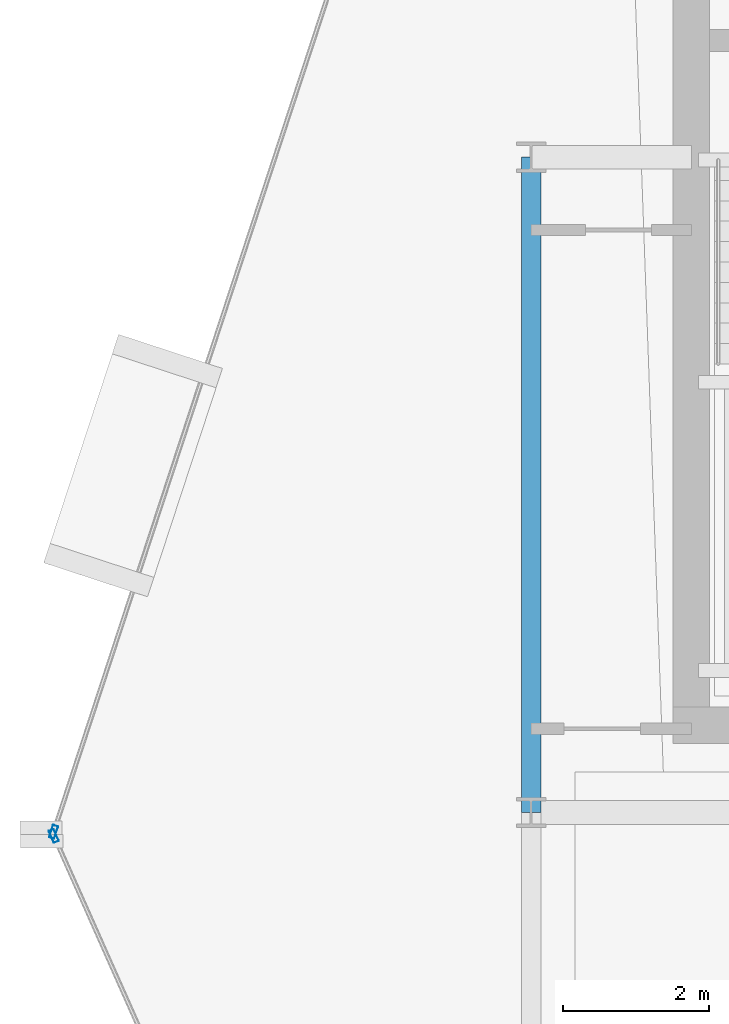
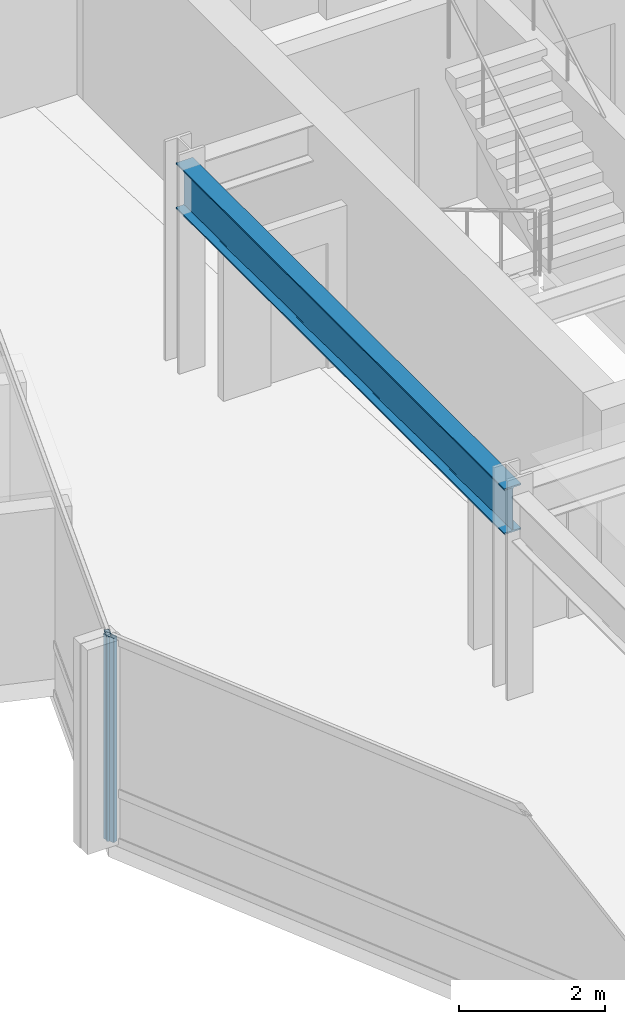
# One storey, part 6 of 27: 2 members, 1 beam, 2 elements without a shape of their own.
"""IFC4 building model written with IfcOpenShell, lengths in metres."""

import ifcopenshell
import ifcopenshell.guid

model = None  # the IFC model being written
_history = None  # IfcOwnerHistory: only IFC2X3 demands one
_inside = {}  # id of a spatial element -> (the spatial element, [elements in it])
_under = {}  # id of a project, library or spatial element -> (it, [spatial elements below it])
_declared = {}  # id of a project -> (the project, [libraries it declares])
_typed = {}  # id of a type object -> (the type object, [elements of that type])
_made_of = {}  # id of a material, layer set ... -> (it, [elements and type objects made of it])


def new_model(schema):
    """Start an empty IFC model of exactly this schema.

    Asked for "IFC4X3", IfcOpenShell would pick the latest addendum, in which some entities
    have other attributes; the version numbers below select the first issue.
    IFC2X3 requires an IfcOwnerHistory on every rooted entity: one is made here for all.
    """
    global model, _history
    if schema == "IFC4X3":
        model = ifcopenshell.file(schema_version=(4, 3, 0, 0))
    else:
        model = ifcopenshell.file(schema=schema)
    _inside.clear()
    _under.clear()
    _declared.clear()
    _typed.clear()
    _made_of.clear()
    _history = None
    if model.schema == "IFC2X3":
        org = make("IfcOrganization", Name="unknown")
        user = make(
            "IfcPersonAndOrganization",
            ThePerson=make("IfcPerson", FamilyName="unknown"),
            TheOrganization=org,
        )
        app = make(
            "IfcApplication",
            ApplicationDeveloper=org,
            Version="unknown",
            ApplicationFullName="unknown",
            ApplicationIdentifier="unknown",
        )
        _history = make(
            "IfcOwnerHistory",
            OwningUser=user,
            OwningApplication=app,
            ChangeAction="ADDED",
            CreationDate=0,
        )
    return model


def make(cls, **values):
    """One entity of the class cls with the attributes given. An attribute that is None is left unset."""
    return model.create_entity(
        cls, **{name: value for name, value in values.items() if value is not None}
    )


def rooted(cls, **values):
    """An entity with a GlobalId (a new one), such as an element, a storey or a relation."""
    return make(cls, GlobalId=ifcopenshell.guid.new(), OwnerHistory=_history, **values)


def si_unit(unit_type, name, prefix=None):
    """IfcSIUnit, for example si_unit("LENGTHUNIT", "METRE", prefix="MILLI")."""
    return make("IfcSIUnit", UnitType=unit_type, Prefix=prefix, Name=name)


def assignment(units):
    """IfcUnitAssignment: the units of a project."""
    return None if units is None else make("IfcUnitAssignment", Units=units)


def point(xyz):
    """IfcCartesianPoint."""
    return None if xyz is None else make("IfcCartesianPoint", Coordinates=xyz)


def direction(xyz):
    """IfcDirection."""
    return None if xyz is None else make("IfcDirection", DirectionRatios=xyz)


def frame(location, z_axis=None, x_axis=None):
    """IfcAxis2Placement3D, a coordinate frame: its origin and axes. An axis left out is left unset."""
    return make(
        "IfcAxis2Placement3D",
        Location=point(location),
        Axis=direction(z_axis),
        RefDirection=direction(x_axis),
    )


def frame_2d(location, x_axis=None):
    """IfcAxis2Placement2D, a coordinate frame in the plane: its origin and x axis."""
    return make(
        "IfcAxis2Placement2D", Location=point(location), RefDirection=direction(x_axis)
    )


def origin():
    """The frame at (0, 0, 0) with its axes left unset."""
    return frame((0.0, 0.0, 0.0))


def origin_2d():
    """The frame at (0, 0) in the plane with its x axis left unset."""
    return frame_2d((0.0, 0.0))


def place(relative_to, where):
    """IfcLocalPlacement: puts the frame where relative to a parent placement (None: the world)."""
    return make(
        "IfcLocalPlacement", PlacementRelTo=relative_to, RelativePlacement=where
    )


def context(
    kind, dimensions, precision=None, world=None, true_north=None, identifier=None
):
    """IfcGeometricRepresentationContext, for example the 3D "Model" context."""
    return make(
        "IfcGeometricRepresentationContext",
        ContextIdentifier=identifier,
        ContextType=kind,
        CoordinateSpaceDimension=dimensions,
        Precision=precision,
        WorldCoordinateSystem=world,
        TrueNorth=true_north,
    )


def subcontext(parent, identifier, kind, view, scale=None):
    """IfcGeometricRepresentationSubContext, for example "Body" below "Model"."""
    return make(
        "IfcGeometricRepresentationSubContext",
        ContextIdentifier=identifier,
        ContextType=kind,
        ParentContext=parent,
        TargetScale=scale,
        TargetView=view,
    )


def project(units=None, contexts=None):
    """IfcProject with its units and contexts."""
    return rooted(
        "IfcProject",
        Name="project",
        RepresentationContexts=contexts,
        UnitsInContext=assignment(units),
    )


def spatial(cls, under=None, at=None, **own):
    """A site, building, storey or space (cls), placed at a placement, below another one or the project."""
    s = rooted(cls, ObjectPlacement=at, **own)
    if under is not None:
        _under.setdefault(under.id(), (under, []))[1].append(s)
    return s


def profile(cls, at=None, kind="AREA", **sizes):
    """A parametric profile (cls). Its sizes go by their IFC names, for example OverallWidth=200.0."""
    return make(cls, ProfileType=kind, Position=at, **sizes)


def hollow_rectangle(**sizes):
    """IfcRectangleHollowProfileDef."""
    return profile("IfcRectangleHollowProfileDef", **sizes)


def i_section(**sizes):
    """IfcIShapeProfileDef."""
    return profile("IfcIShapeProfileDef", **sizes)


def extrude(swept, where, along, depth):
    """IfcExtrudedAreaSolid: the profile swept, set in the frame where, extruded along a direction by depth."""
    return make(
        "IfcExtrudedAreaSolid",
        SweptArea=swept,
        Position=where,
        ExtrudedDirection=direction(along),
        Depth=depth,
    )


def shape(context_of_items, identifier, shape_type, items):
    """IfcShapeRepresentation: the items that make up one representation, for example the "Body"."""
    return make(
        "IfcShapeRepresentation",
        ContextOfItems=context_of_items,
        RepresentationIdentifier=identifier,
        RepresentationType=shape_type,
        Items=items,
    )


def material(Name=None, Category=None):
    """IfcMaterial."""
    return make("IfcMaterial", Name=Name, Category=Category)


def layer(
    of_material, thickness, ventilated=None, Name=None, Category=None, Priority=None
):
    """IfcMaterialLayer: one layer of a wall or slab, of a material (None: an air gap)."""
    return make(
        "IfcMaterialLayer",
        Material=of_material,
        LayerThickness=thickness,
        IsVentilated=ventilated,
        Name=Name,
        Category=Category,
        Priority=Priority,
    )


def layer_set(layers, Name=None):
    """IfcMaterialLayerSet."""
    return make("IfcMaterialLayerSet", MaterialLayers=layers, LayerSetName=Name)


def material_profile(
    of_material, cross_section, Name=None, Category=None, Priority=None
):
    """IfcMaterialProfile: a cross section and its material."""
    return make(
        "IfcMaterialProfile",
        Name=Name,
        Material=of_material,
        Profile=cross_section,
        Priority=Priority,
        Category=Category,
    )


def profile_set(profiles, Name=None, composite=None):
    """IfcMaterialProfileSet."""
    return make(
        "IfcMaterialProfileSet",
        Name=Name,
        MaterialProfiles=profiles,
        CompositeProfile=composite,
    )


def made_of(thing, what):
    """Note that an element or type object is made of a material, layer set ...; save() writes the relation."""
    if what is not None:
        _made_of.setdefault(what.id(), (what, []))[1].append(thing)
    return thing


def type_object(cls, material=None, **own):
    """A type object (cls), such as IfcWallType, which elements share."""
    return made_of(rooted(cls, **own), material)


def element(
    cls,
    number,
    at=None,
    inside=None,
    cuts=None,
    type_object=None,
    material=None,
    context=None,
    identifier="Body",
    shape_type=None,
    held_by="IfcProductDefinitionShape",
    body=None,
    shapes=None,
    **own,
):
    """One element of the class cls, such as IfcWall. Its Tag is "e" and its number.

    at: its placement. inside: the storey or other place that contains it. cuts: it is an
    opening in that element (IfcRelVoidsElement). A single representation is given by context,
    identifier, shape_type and body (its items); several are given by shapes. held_by: the class
    of the entity that holds the representations. save() writes the other relations.
    """
    e = rooted(cls, Tag="e%d" % number, ObjectPlacement=at, **own)
    if body is not None:
        shapes = [shape(context, identifier, shape_type, body)]
    if shapes is not None:
        e.Representation = make(held_by, Representations=shapes)
    if inside is not None:
        _inside.setdefault(inside.id(), (inside, []))[1].append(e)
    if cuts is not None:
        rooted(
            "IfcRelVoidsElement", RelatingBuildingElement=cuts, RelatedOpeningElement=e
        )
    if type_object is not None:
        _typed.setdefault(type_object.id(), (type_object, []))[1].append(e)
    return made_of(e, material)


def aggregate(whole, parts):
    """IfcRelAggregates: a whole, such as a stair, and the parts it consists of."""
    return rooted("IfcRelAggregates", RelatingObject=whole, RelatedObjects=parts)


def save(model, path):
    """Write the relations noted so far, then the file.

    IfcRelAggregates (storeys below a building ...), IfcRelContainedInSpatialStructure (elements
    in a storey), IfcRelDefinesByType, IfcRelAssociatesMaterial and IfcRelDeclares: one each for
    every whole, place, type object, material and project.
    """
    for whole, parts in _under.values():
        aggregate(whole, parts)
    for where, things in _inside.values():
        rooted(
            "IfcRelContainedInSpatialStructure",
            RelatedElements=things,
            RelatingStructure=where,
        )
    for kind, things in _typed.values():
        rooted("IfcRelDefinesByType", RelatedObjects=things, RelatingType=kind)
    for what, things in _made_of.values():
        rooted("IfcRelAssociatesMaterial", RelatedObjects=things, RelatingMaterial=what)
    for by, libraries in _declared.values():
        rooted("IfcRelDeclares", RelatingContext=by, RelatedDefinitions=libraries)
    model.write(path)


model = new_model("IFC4")

# Units and contexts
model_context = context("Model", 3, precision=1e-05, world=origin(), true_north=direction((0.0, 1.0)))
body_context = subcontext(model_context, "Body", "Model", "MODEL_VIEW")
ifc_project = project(units=[si_unit("LENGTHUNIT", "METRE"), si_unit("AREAUNIT", "SQUARE_METRE"), si_unit("VOLUMEUNIT", "CUBIC_METRE"), si_unit("PLANEANGLEUNIT", "RADIAN"), si_unit("MASSUNIT", "GRAM", prefix="KILO")], contexts=[model_context])

# Site, building, storey
site_placement = place(None, origin())
site = spatial("IfcSite", under=ifc_project, at=site_placement, CompositionType="ELEMENT")
building_placement = place(site_placement, origin())
building = spatial("IfcBuilding", under=site, at=building_placement, Name="Solvaryn Broadcast Tower", CompositionType="ELEMENT")
storey_placement = place(building_placement, frame((0.0, 0.0, 174.199951171875)))
storey = spatial("IfcBuildingStorey", under=building, at=storey_placement, Name="L43", CompositionType="ELEMENT", Elevation=174.199951171875)

# Beam
ifc_material_1 = material(Name="Steel ASTM A992 Grade 50", Category="steel")
ifc_material_profile_1 = material_profile(ifc_material_1, i_section(OverallWidth=0.26708984375, OverallDepth=0.76611328125, WebThickness=0.014892578125, FlangeThickness=0.023681640625, FilletRadius=0.01806640625, at=origin_2d()))
ifc_profile_set_1 = profile_set([ifc_material_profile_1], Name="Steel ASTM A992 Grade 50")
beam_type = type_object("IfcBeamType", Name="BM-SP2-W30X124", PredefinedType="USERDEFINED", material=ifc_profile_set_1)
beam_placement = place(storey_placement, frame((9.0, 27.0, 3.037109375), z_axis=(0.0, 1.0, 0.0), x_axis=(-1.0, 0.0, 0.0)))
element("IfcBeam", 1, at=beam_placement, inside=storey, type_object=beam_type, Name="L43 Spandrel Beam Y (27-36 @ X=9)", ObjectType="SPANDREL", PredefinedType="USERDEFINED", context=body_context, shape_type="SweptSolid", body=[
    extrude(i_section(OverallWidth=0.26708984375, OverallDepth=0.76611328125, WebThickness=0.014892578125, FlangeThickness=0.023681640625, FilletRadius=0.01806640625, at=origin_2d()), origin(), (0.0, 0.0, 1.0), 9.0),
])

# Curtain wall, member
ifc_material_2 = material(Name="Aluminium and Terracotta Unitised Curtain Wall", Category="masonry")
ifc_layer_1 = layer(ifc_material_2, 0.199951171875)
ifc_layer_set_1 = layer_set([ifc_layer_1], Name="CW-SYS2-LOWMID")
curtain_wall_type_1 = type_object("IfcCurtainWallType", Name="CW-SYS2-LOWMID", PredefinedType="NOTDEFINED", material=ifc_layer_set_1)
curtain_wall_1_placement = place(storey_placement, origin())
curtain_wall_1 = element("IfcCurtainWall", 2, at=curtain_wall_1_placement, inside=storey, type_object=curtain_wall_type_1, Name="L43 Curtain Wall DR1", PredefinedType="NOTDEFINED")
ifc_material_3 = material(Name="Anodised Aluminium 6063-T6", Category="aluminium")
ifc_material_profile_2 = material_profile(ifc_material_3, hollow_rectangle(XDim=0.074951171875, YDim=0.179931640625, WallThickness=0.00390625, InnerFilletRadius=0.00390625, OuterFilletRadius=0.008056640625, at=origin_2d()))
ifc_profile_set_2 = profile_set([ifc_material_profile_2], Name="Anodised Aluminium 6063-T6")
member_type = type_object("IfcMemberType", Name="CW-MUL-180", PredefinedType="MULLION", material=ifc_profile_set_2)
member_1_placement = place(storey_placement, frame((2.4423828125, 26.734619140625, 0.0), z_axis=(0.0, 0.0, 1.0), x_axis=(0.950226902099, -0.311558717623, 0.0)))
member_1 = element("IfcMember", 3, at=member_1_placement, type_object=member_type, Name="CWS2 mullion 2", PredefinedType="MULLION", context=body_context, shape_type="SweptSolid", body=[
    extrude(hollow_rectangle(XDim=0.074951171875, YDim=0.179931640625, WallThickness=0.00390625, InnerFilletRadius=0.00390625, OuterFilletRadius=0.008056640625, at=origin_2d()), origin(), (0.0, 0.0, 1.0), 3.420166015625),
])
aggregate(curtain_wall_1, [member_1])

ifc_material_4 = material(Name="Aluminium and Terracotta Unitised Curtain Wall", Category="masonry")
ifc_layer_2 = layer(ifc_material_4, 0.239990234375)
ifc_layer_set_2 = layer_set([ifc_layer_2], Name="CW-SYS3-BAYBOX")
curtain_wall_type_2 = type_object("IfcCurtainWallType", Name="CW-SYS3-BAYBOX", PredefinedType="NOTDEFINED", material=ifc_layer_set_2)
curtain_wall_2_placement = place(storey_placement, origin())
curtain_wall_2 = element("IfcCurtainWall", 4, at=curtain_wall_2_placement, inside=storey, type_object=curtain_wall_type_2, Name="L43 Curtain Wall DR2", PredefinedType="NOTDEFINED")
member_2_placement = place(storey_placement, frame((2.445068359375, 26.678466796875, 0.0), z_axis=(0.0, 0.0, 1.0), x_axis=(0.913916902365, 0.405901337237, 0.0)))
member_2 = element("IfcMember", 5, at=member_2_placement, type_object=member_type, Name="CWS3 mullion 1", PredefinedType="MULLION", context=body_context, shape_type="SweptSolid", body=[
    extrude(hollow_rectangle(XDim=0.074951171875, YDim=0.179931640625, WallThickness=0.00390625, InnerFilletRadius=0.00390625, OuterFilletRadius=0.008056640625, at=origin_2d()), origin(), (0.0, 0.0, 1.0), 3.420166015625),
])
aggregate(curtain_wall_2, [member_2])

save(model, "model.ifc")
